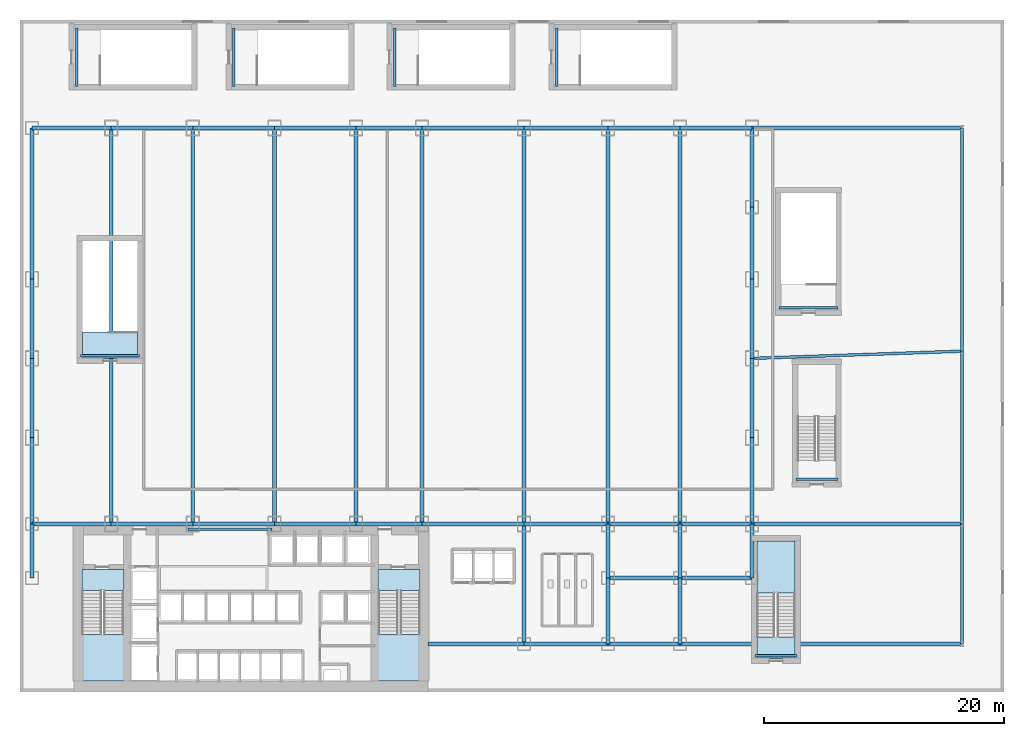
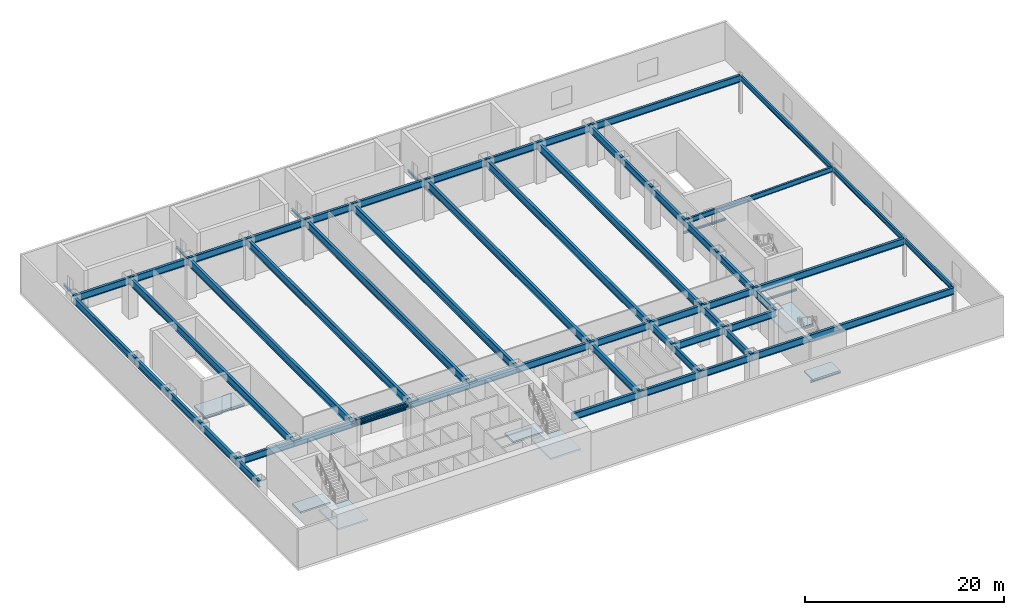
# One storey, part 4 of 14: 63 beams, 7 slabs, 3 elements without a shape of their own.
"""IFC4 building model written with IfcOpenShell, lengths in metres."""

from ifc_helpers import new_model, si_unit, derived_unit, direction, frame, origin, origin_2d, place, context, subcontext, project, spatial, polyline, i_section, outline, extrude, source, transform, mapped, material, layer, layer_set, material_profile, profile_set, type_object, element, aggregate, save


model = new_model("IFC4")

# Units and contexts
model_context = context("Model", 3, precision=1e-05, world=origin(), true_north=direction((0.0, 1.0)))
body_context = subcontext(model_context, "Body", "Model", "MODEL_VIEW")
ifc_project = project(units=[si_unit("LENGTHUNIT", "METRE"), si_unit("AREAUNIT", "SQUARE_METRE"), si_unit("VOLUMEUNIT", "CUBIC_METRE"), si_unit("PLANEANGLEUNIT", "RADIAN"), si_unit("MASSUNIT", "GRAM", prefix="KILO"), derived_unit("THERMALTRANSMITTANCEUNIT", [(si_unit("POWERUNIT", "WATT"), 1), (si_unit("LENGTHUNIT", "METRE"), -2), (si_unit("THERMODYNAMICTEMPERATUREUNIT", "KELVIN"), -1)])], contexts=[model_context])

# Site, building, storey
site_placement = place(None, origin())
site = spatial("IfcSite", under=ifc_project, at=site_placement, CompositionType="ELEMENT")
building_placement = place(site_placement, origin())
building = spatial("IfcBuilding", under=site, at=building_placement, Name="Skarnbrae Concourse Arena and Tower", CompositionType="ELEMENT")
storey_placement = place(building_placement, frame((0.0, 0.0, 21.0)))
storey = spatial("IfcBuildingStorey", under=building, at=storey_placement, Name="L04", CompositionType="ELEMENT", Elevation=21.0)

# Beams
ifc_material_1 = material(Name="Steel CSA G40.21 350W", Category="steel")
ifc_material_profile_1 = material_profile(ifc_material_1, i_section(OverallWidth=0.202880859375, OverallDepth=0.251953125, WebThickness=0.008056640625, FlangeThickness=0.013427734375, at=origin_2d()), Name="W250X58")
ifc_profile_set_1 = profile_set([ifc_material_profile_1], Name="Steel CSA G40.21 350W")
beam_type_1 = type_object("IfcBeamType", Name="BM-LINTEL-W250X58", PredefinedType="LINTEL", material=ifc_profile_set_1)
shared_shape_1 = source(origin(), body_context, "Body", "SweptSolid", [
    extrude(i_section(OverallWidth=0.202880859375, OverallDepth=0.251953125, WebThickness=0.008056640625, FlangeThickness=0.013427734375, at=origin_2d()), origin(), (0.0, 0.0, 1.0), 7.0),
])
beam_1_placement = place(storey_placement, frame((14.0, 13.550048828125, 4.573974609375), z_axis=(1.0, 0.0, 0.0), x_axis=(0.0, 1.0, 0.0)))
element("IfcBeam", 1, at=beam_1_placement, inside=storey, type_object=beam_type_1, Name="L04 Core portal coupling lintel", PredefinedType="LINTEL", context=body_context, shape_type="MappedRepresentation", body=[
    mapped(shared_shape_1, transform((0.0, 0.0, 0.0))),
])
ifc_material_profile_2 = material_profile(ifc_material_1, i_section(OverallWidth=0.2939453125, OverallDepth=0.85107421875, WebThickness=0.01611328125, FlangeThickness=0.02685546875, at=origin_2d()), Name="W840X226")
ifc_profile_set_2 = profile_set([ifc_material_profile_2], Name="Steel CSA G40.21 350W")
beam_type_2 = type_object("IfcBeamType", Name="BM-GIRD-W840X226", PredefinedType="BEAM", material=ifc_profile_set_2)
shared_shape_2 = source(origin(), body_context, "Body", "SweptSolid", [
    extrude(i_section(OverallWidth=0.2939453125, OverallDepth=0.85107421875, WebThickness=0.01611328125, FlangeThickness=0.02685546875, at=origin_2d()), origin(), (0.0, 0.0, 1.0), 6.60009765625),
])
for number, where, z_axis, x_axis, name in (
    (2, (1.0, 47.0, 4.2744140625), (1.0, 0.0, 0.0), (0.0, 1.0, 0.0), "L04 Podium north girder 1"),
    (3, (1.0, 14.0, 4.2744140625), (1.0, 0.0, 0.0), (0.0, 1.0, 0.0), "L04 Podium south spine girder 1"),
    (4, (1.0, 21.199951171875, 4.2744140625), (0.0, 1.0, 0.0), (-1.0, 0.0, 0.0), "L04 Podium west girder 3"),
    (5, (61.0, 21.199951171875, 4.2744140625), (0.0, 1.0, 0.0), (-1.0, 0.0, 0.0), "L04 Podium east girder 3"),
    (6, (61.0, 40.39990234375, 4.2744140625), (0.0, 1.0, 0.0), (-1.0, 0.0, 0.0), "L04 Podium east girder 6"),
):
    element("IfcBeam", number, at=place(storey_placement, frame(where, z_axis=z_axis, x_axis=x_axis)), inside=storey, type_object=beam_type_2, Name=name, PredefinedType="BEAM", context=body_context, shape_type="MappedRepresentation", body=[
        mapped(shared_shape_2, transform((0.0, 0.0, 0.0))),
    ])
shared_shape_3 = source(origin(), body_context, "Body", "SweptSolid", [
    extrude(i_section(OverallWidth=0.2939453125, OverallDepth=0.85107421875, WebThickness=0.01611328125, FlangeThickness=0.02685546875, at=origin_2d()), origin(), (0.0, 0.0, 1.0), 6.7998046875),
])
for number, where, z_axis, x_axis, name in (
    (7, (7.60009765625, 47.0, 4.2744140625), (1.0, 0.0, 0.0), (0.0, 1.0, 0.0), "L04 Podium north girder 2"),
    (8, (7.60009765625, 14.0, 4.2744140625), (1.0, 0.0, 0.0), (0.0, 1.0, 0.0), "L04 Podium south spine girder 2"),
):
    element("IfcBeam", number, at=place(storey_placement, frame(where, z_axis=z_axis, x_axis=x_axis)), inside=storey, type_object=beam_type_2, Name=name, PredefinedType="BEAM", context=body_context, shape_type="MappedRepresentation", body=[
        mapped(shared_shape_3, transform((0.0, 0.0, 0.0))),
    ])
shared_shape_4 = source(origin(), body_context, "Body", "SweptSolid", [
    extrude(i_section(OverallWidth=0.2939453125, OverallDepth=0.85107421875, WebThickness=0.01611328125, FlangeThickness=0.02685546875, at=origin_2d()), origin(), (0.0, 0.0, 1.0), 6.800048828125),
])
for number, where, z_axis, x_axis, name in (
    (9, (14.39990234375, 47.0, 4.2744140625), (1.0, 0.0, 0.0), (0.0, 1.0, 0.0), "L04 Podium north girder 3"),
    (10, (21.199951171875, 47.0, 4.2744140625), (1.0, 0.0, 0.0), (0.0, 1.0, 0.0), "L04 Podium north girder 4"),
    (11, (14.39990234375, 14.0, 4.2744140625), (1.0, 0.0, 0.0), (0.0, 1.0, 0.0), "L04 Podium south spine girder 3"),
    (12, (21.199951171875, 14.0, 4.2744140625), (1.0, 0.0, 0.0), (0.0, 1.0, 0.0), "L04 Podium south spine girder 4"),
):
    element("IfcBeam", number, at=place(storey_placement, frame(where, z_axis=z_axis, x_axis=x_axis)), inside=storey, type_object=beam_type_2, Name=name, PredefinedType="BEAM", context=body_context, shape_type="MappedRepresentation", body=[
        mapped(shared_shape_4, transform((0.0, 0.0, 0.0))),
    ])
shared_shape_5 = source(origin(), body_context, "Body", "SweptSolid", [
    extrude(i_section(OverallWidth=0.2939453125, OverallDepth=0.85107421875, WebThickness=0.01611328125, FlangeThickness=0.02685546875, at=origin_2d()), origin(), (0.0, 0.0, 1.0), 5.5),
])
for number, where, z_axis, x_axis, name in (
    (13, (28.0, 47.0, 4.2744140625), (1.0, 0.0, 0.0), (0.0, 1.0, 0.0), "L04 Podium north girder 5"),
    (14, (28.0, 14.0, 4.2744140625), (1.0, 0.0, 0.0), (0.0, 1.0, 0.0), "L04 Podium south spine girder 5"),
    (15, (49.0, 4.0, 4.2744140625), (0.0, 1.0, 0.0), (-1.0, 0.0, 0.0), "L04 SE south tie 49"),
    (16, (55.0, 4.0, 4.2744140625), (0.0, 1.0, 0.0), (-1.0, 0.0, 0.0), "L04 SE south tie 55"),
):
    element("IfcBeam", number, at=place(storey_placement, frame(where, z_axis=z_axis, x_axis=x_axis)), inside=storey, type_object=beam_type_2, Name=name, PredefinedType="BEAM", context=body_context, shape_type="MappedRepresentation", body=[
        mapped(shared_shape_5, transform((0.0, 0.0, 0.0))),
    ])
shared_shape_6 = source(origin(), body_context, "Body", "SweptSolid", [
    extrude(i_section(OverallWidth=0.2939453125, OverallDepth=0.85107421875, WebThickness=0.01611328125, FlangeThickness=0.02685546875, at=origin_2d()), origin(), (0.0, 0.0, 1.0), 8.5),
])
for number, where, z_axis, x_axis, name in (
    (17, (33.5, 47.0, 4.2744140625), (1.0, 0.0, 0.0), (0.0, 1.0, 0.0), "L04 Podium north girder 6"),
    (18, (33.5, 14.0, 4.2744140625), (1.0, 0.0, 0.0), (0.0, 1.0, 0.0), "L04 Podium south spine girder 6"),
):
    element("IfcBeam", number, at=place(storey_placement, frame(where, z_axis=z_axis, x_axis=x_axis)), inside=storey, type_object=beam_type_2, Name=name, PredefinedType="BEAM", context=body_context, shape_type="MappedRepresentation", body=[
        mapped(shared_shape_6, transform((0.0, 0.0, 0.0))),
    ])
shared_shape_7 = source(origin(), body_context, "Body", "SweptSolid", [
    extrude(i_section(OverallWidth=0.2939453125, OverallDepth=0.85107421875, WebThickness=0.01611328125, FlangeThickness=0.02685546875, at=origin_2d()), origin(), (0.0, 0.0, 1.0), 7.0),
])
for number, where, z_axis, x_axis, name in (
    (19, (42.0, 47.0, 4.2744140625), (1.0, 0.0, 0.0), (0.0, 1.0, 0.0), "L04 Podium north girder 7"),
    (20, (42.0, 14.0, 4.2744140625), (1.0, 0.0, 0.0), (0.0, 1.0, 0.0), "L04 Podium south spine girder 7"),
    (21, (42.0, 4.0, 4.2744140625), (1.0, 0.0, 0.0), (0.0, 1.0, 0.0), "L04 South-east girder 2"),
):
    element("IfcBeam", number, at=place(storey_placement, frame(where, z_axis=z_axis, x_axis=x_axis)), inside=storey, type_object=beam_type_2, Name=name, PredefinedType="BEAM", context=body_context, shape_type="MappedRepresentation", body=[
        mapped(shared_shape_7, transform((0.0, 0.0, 0.0))),
    ])
shared_shape_8 = source(origin(), body_context, "Body", "SweptSolid", [
    extrude(i_section(OverallWidth=0.2939453125, OverallDepth=0.85107421875, WebThickness=0.01611328125, FlangeThickness=0.02685546875, at=origin_2d()), origin(), (0.0, 0.0, 1.0), 6.0),
])
for number, where, z_axis, x_axis, name in (
    (22, (49.0, 47.0, 4.2744140625), (1.0, 0.0, 0.0), (0.0, 1.0, 0.0), "L04 Podium north girder 8"),
    (23, (55.0, 47.0, 4.2744140625), (1.0, 0.0, 0.0), (0.0, 1.0, 0.0), "L04 Podium north girder 9"),
    (24, (49.0, 14.0, 4.2744140625), (1.0, 0.0, 0.0), (0.0, 1.0, 0.0), "L04 Podium south spine girder 8"),
    (25, (55.0, 14.0, 4.2744140625), (1.0, 0.0, 0.0), (0.0, 1.0, 0.0), "L04 Podium south spine girder 9"),
    (26, (61.0, 34.39990234375, 4.2744140625), (0.0, 1.0, 0.0), (-1.0, 0.0, 0.0), "L04 Podium east girder 5"),
    (27, (49.0, 9.5, 4.2744140625), (1.0, 0.0, 0.0), (0.0, 1.0, 0.0), "L04 SE elbow girder 1"),
    (28, (55.0, 9.5, 4.2744140625), (1.0, 0.0, 0.0), (0.0, 1.0, 0.0), "L04 SE elbow girder 2"),
    (29, (49.0, 4.0, 4.2744140625), (1.0, 0.0, 0.0), (0.0, 1.0, 0.0), "L04 South-east girder 3"),
):
    element("IfcBeam", number, at=place(storey_placement, frame(where, z_axis=z_axis, x_axis=x_axis)), inside=storey, type_object=beam_type_2, Name=name, PredefinedType="BEAM", context=body_context, shape_type="MappedRepresentation", body=[
        mapped(shared_shape_8, transform((0.0, 0.0, 0.0))),
    ])
shared_shape_9 = source(origin(), body_context, "Body", "SweptSolid", [
    extrude(i_section(OverallWidth=0.2939453125, OverallDepth=0.85107421875, WebThickness=0.01611328125, FlangeThickness=0.02685546875, at=origin_2d()), origin(), (0.0, 0.0, 1.0), 17.5),
])
for number, where, z_axis, x_axis, name in (
    (30, (61.0, 47.0, 4.2744140625), (1.0, 0.0, 0.0), (0.0, 1.0, 0.0), "L04 Podium north girder 10"),
    (31, (61.0, 14.0, 4.2744140625), (1.0, 0.0, 0.0), (0.0, 1.0, 0.0), "L04 Podium south spine girder 10"),
):
    element("IfcBeam", number, at=place(storey_placement, frame(where, z_axis=z_axis, x_axis=x_axis)), inside=storey, type_object=beam_type_2, Name=name, PredefinedType="BEAM", context=body_context, shape_type="MappedRepresentation", body=[
        mapped(shared_shape_9, transform((0.0, 0.0, 0.0))),
    ])
shared_shape_10 = source(origin(), body_context, "Body", "SweptSolid", [
    extrude(i_section(OverallWidth=0.2939453125, OverallDepth=0.85107421875, WebThickness=0.01611328125, FlangeThickness=0.02685546875, at=origin_2d()), origin(), (0.0, 0.0, 1.0), 4.5),
])
for number, where, z_axis, x_axis, name in (
    (32, (1.0, 9.5, 4.2744140625), (0.0, 1.0, 0.0), (-1.0, 0.0, 0.0), "L04 Podium west girder 1"),
    (33, (61.0, 9.5, 4.2744140625), (0.0, 1.0, 0.0), (-1.0, 0.0, 0.0), "L04 Podium east girder 1"),
    (34, (49.0, 9.5, 4.2744140625), (0.0, 1.0, 0.0), (-1.0, 0.0, 0.0), "L04 SE north tie 49"),
    (35, (55.0, 9.5, 4.2744140625), (0.0, 1.0, 0.0), (-1.0, 0.0, 0.0), "L04 SE north tie 55"),
):
    element("IfcBeam", number, at=place(storey_placement, frame(where, z_axis=z_axis, x_axis=x_axis)), inside=storey, type_object=beam_type_2, Name=name, PredefinedType="BEAM", context=body_context, shape_type="MappedRepresentation", body=[
        mapped(shared_shape_10, transform((0.0, 0.0, 0.0))),
    ])
shared_shape_11 = source(origin(), body_context, "Body", "SweptSolid", [
    extrude(i_section(OverallWidth=0.2939453125, OverallDepth=0.85107421875, WebThickness=0.01611328125, FlangeThickness=0.02685546875, at=origin_2d()), origin(), (0.0, 0.0, 1.0), 7.199951171875),
])
for number, where, z_axis, x_axis, name in (
    (36, (1.0, 14.0, 4.2744140625), (0.0, 1.0, 0.0), (-1.0, 0.0, 0.0), "L04 Podium west girder 2"),
    (37, (61.0, 14.0, 4.2744140625), (0.0, 1.0, 0.0), (-1.0, 0.0, 0.0), "L04 Podium east girder 2"),
):
    element("IfcBeam", number, at=place(storey_placement, frame(where, z_axis=z_axis, x_axis=x_axis)), inside=storey, type_object=beam_type_2, Name=name, PredefinedType="BEAM", context=body_context, shape_type="MappedRepresentation", body=[
        mapped(shared_shape_11, transform((0.0, 0.0, 0.0))),
    ])
shared_shape_12 = source(origin(), body_context, "Body", "SweptSolid", [
    extrude(i_section(OverallWidth=0.2939453125, OverallDepth=0.85107421875, WebThickness=0.01611328125, FlangeThickness=0.02685546875, at=origin_2d()), origin(), (0.0, 0.0, 1.0), 6.599853515625),
])
for number, where, z_axis, x_axis, name in (
    (38, (1.0, 27.800048828125, 4.2744140625), (0.0, 1.0, 0.0), (-1.0, 0.0, 0.0), "L04 Podium west girder 4"),
    (39, (61.0, 27.800048828125, 4.2744140625), (0.0, 1.0, 0.0), (-1.0, 0.0, 0.0), "L04 Podium east girder 4"),
):
    element("IfcBeam", number, at=place(storey_placement, frame(where, z_axis=z_axis, x_axis=x_axis)), inside=storey, type_object=beam_type_2, Name=name, PredefinedType="BEAM", context=body_context, shape_type="MappedRepresentation", body=[
        mapped(shared_shape_12, transform((0.0, 0.0, 0.0))),
    ])
shared_shape_13 = source(origin(), body_context, "Body", "SweptSolid", [
    extrude(i_section(OverallWidth=0.2939453125, OverallDepth=0.85107421875, WebThickness=0.01611328125, FlangeThickness=0.02685546875, at=origin_2d()), origin(), (0.0, 0.0, 1.0), 12.60009765625),
])
beam_2_placement = place(storey_placement, frame((1.0, 34.39990234375, 4.2744140625), z_axis=(0.0, 1.0, 0.0), x_axis=(-1.0, 0.0, 0.0)))
element("IfcBeam", 40, at=beam_2_placement, inside=storey, type_object=beam_type_2, Name="L04 Podium west girder 5", PredefinedType="BEAM", context=body_context, shape_type="MappedRepresentation", body=[
    mapped(shared_shape_13, transform((0.0, 0.0, 0.0))),
])
ifc_material_profile_3 = material_profile(ifc_material_1, i_section(OverallWidth=0.22802734375, OverallDepth=0.60791015625, WebThickness=0.01123046875, FlangeThickness=0.017333984375, at=origin_2d()), Name="W610X113")
ifc_profile_set_3 = profile_set([ifc_material_profile_3], Name="Steel CSA G40.21 350W")
beam_type_3 = type_object("IfcBeamType", Name="BM-GIRD-W610X113", PredefinedType="BEAM", material=ifc_profile_set_3)
shared_shape_14 = source(origin(), body_context, "Body", "SweptSolid", [
    extrude(i_section(OverallWidth=0.22802734375, OverallDepth=0.60791015625, WebThickness=0.01123046875, FlangeThickness=0.017333984375, at=origin_2d()), origin(), (0.0, 0.0, 1.0), 10.0),
])
beam_3_placement = place(storey_placement, frame((78.5, 4.0, 4.39599609375), z_axis=(0.0, 1.0, 0.0), x_axis=(-1.0, 0.0, 0.0)))
element("IfcBeam", 41, at=beam_3_placement, inside=storey, type_object=beam_type_3, Name="L04 Podium outer east girder 1", PredefinedType="BEAM", context=body_context, shape_type="MappedRepresentation", body=[
    mapped(shared_shape_14, transform((0.0, 0.0, 0.0))),
])
shared_shape_15 = source(origin(), body_context, "Body", "SweptSolid", [
    extrude(i_section(OverallWidth=0.22802734375, OverallDepth=0.60791015625, WebThickness=0.01123046875, FlangeThickness=0.017333984375, at=origin_2d()), origin(), (0.0, 0.0, 1.0), 14.39990234375),
])
beam_4_placement = place(storey_placement, frame((78.5, 14.0, 4.39599609375), z_axis=(0.0, 1.0, 0.0), x_axis=(-1.0, 0.0, 0.0)))
element("IfcBeam", 42, at=beam_4_placement, inside=storey, type_object=beam_type_3, Name="L04 Podium outer east girder 2", PredefinedType="BEAM", context=body_context, shape_type="MappedRepresentation", body=[
    mapped(shared_shape_15, transform((0.0, 0.0, 0.0))),
])
shared_shape_16 = source(origin(), body_context, "Body", "SweptSolid", [
    extrude(i_section(OverallWidth=0.22802734375, OverallDepth=0.60791015625, WebThickness=0.01123046875, FlangeThickness=0.017333984375, at=origin_2d()), origin(), (0.0, 0.0, 1.0), 18.60009765625),
])
beam_5_placement = place(storey_placement, frame((78.5, 28.39990234375, 4.39599609375), z_axis=(0.0, 1.0, 0.0), x_axis=(-1.0, 0.0, 0.0)))
element("IfcBeam", 43, at=beam_5_placement, inside=storey, type_object=beam_type_3, Name="L04 Podium outer east girder 3", PredefinedType="BEAM", context=body_context, shape_type="MappedRepresentation", body=[
    mapped(shared_shape_16, transform((0.0, 0.0, 0.0))),
])
shared_shape_17 = source(origin(), body_context, "Body", "SweptSolid", [
    extrude(i_section(OverallWidth=0.22802734375, OverallDepth=0.60791015625, WebThickness=0.01123046875, FlangeThickness=0.017333984375, at=origin_2d()), origin(), (0.0, 0.0, 1.0), 17.51025390625),
])
beam_6_placement = place(storey_placement, frame((61.0, 27.800048828125, 4.39599609375), z_axis=(0.999413049025, 0.03425722463, 0.0), x_axis=(-0.03425722463, 0.999413049025, 0.0)))
element("IfcBeam", 44, at=beam_6_placement, inside=storey, type_object=beam_type_3, Name="L04 East concourse tie girder", PredefinedType="BEAM", context=body_context, shape_type="MappedRepresentation", body=[
    mapped(shared_shape_17, transform((0.0, 0.0, 0.0))),
])
shared_shape_18 = source(origin(), body_context, "Body", "SweptSolid", [
    extrude(i_section(OverallWidth=0.2939453125, OverallDepth=0.85107421875, WebThickness=0.01611328125, FlangeThickness=0.02685546875, at=origin_2d()), origin(), (0.0, 0.0, 1.0), 8.0),
])
beam_7_placement = place(storey_placement, frame((34.0, 4.0, 4.2744140625), z_axis=(1.0, 0.0, 0.0), x_axis=(0.0, 1.0, 0.0)))
element("IfcBeam", 45, at=beam_7_placement, inside=storey, type_object=beam_type_2, Name="L04 South-east girder 1", PredefinedType="BEAM", context=body_context, shape_type="MappedRepresentation", body=[
    mapped(shared_shape_18, transform((0.0, 0.0, 0.0))),
])
shared_shape_19 = source(origin(), body_context, "Body", "SweptSolid", [
    extrude(i_section(OverallWidth=0.2939453125, OverallDepth=0.85107421875, WebThickness=0.01611328125, FlangeThickness=0.02685546875, at=origin_2d()), origin(), (0.0, 0.0, 1.0), 23.5),
])
beam_8_placement = place(storey_placement, frame((55.0, 4.0, 4.2744140625), z_axis=(1.0, 0.0, 0.0), x_axis=(0.0, 1.0, 0.0)))
element("IfcBeam", 46, at=beam_8_placement, inside=storey, type_object=beam_type_2, Name="L04 South-east girder 4", PredefinedType="BEAM", context=body_context, shape_type="MappedRepresentation", body=[
    mapped(shared_shape_19, transform((0.0, 0.0, 0.0))),
])
shared_shape_20 = source(origin(), body_context, "Body", "SweptSolid", [
    extrude(i_section(OverallWidth=0.2939453125, OverallDepth=0.85107421875, WebThickness=0.01611328125, FlangeThickness=0.02685546875, at=origin_2d()), origin(), (0.0, 0.0, 1.0), 10.0),
])
beam_9_placement = place(storey_placement, frame((42.0, 4.0, 4.2744140625), z_axis=(0.0, 1.0, 0.0), x_axis=(-1.0, 0.0, 0.0)))
element("IfcBeam", 47, at=beam_9_placement, inside=storey, type_object=beam_type_2, Name="L04 SE cross tie 42", PredefinedType="BEAM", context=body_context, shape_type="MappedRepresentation", body=[
    mapped(shared_shape_20, transform((0.0, 0.0, 0.0))),
])
ifc_material_profile_4 = material_profile(ifc_material_1, i_section(OverallWidth=0.30908203125, OverallDepth=0.931884765625, WebThickness=0.01953125, FlangeThickness=0.034423828125, at=origin_2d()), Name="W920X313")
ifc_profile_set_4 = profile_set([ifc_material_profile_4], Name="Steel CSA G40.21 350W")
beam_type_4 = type_object("IfcBeamType", Name="BM-GIRD-W920X313", PredefinedType="BEAM", material=ifc_profile_set_4)
shared_shape_21 = source(origin(), body_context, "Body", "SweptSolid", [
    extrude(i_section(OverallWidth=0.30908203125, OverallDepth=0.931884765625, WebThickness=0.01953125, FlangeThickness=0.034423828125, at=origin_2d()), origin(), (0.0, 0.0, 1.0), 33.0),
])
for number, where, z_axis, x_axis, name in (
    (48, (7.60009765625, 14.0, 4.23388671875), (0.0, 1.0, 0.0), (-1.0, 0.0, 0.0), "L04 Arena span girder 1"),
    (49, (14.39990234375, 14.0, 4.23388671875), (0.0, 1.0, 0.0), (-1.0, 0.0, 0.0), "L04 Arena span girder 2"),
    (50, (21.199951171875, 14.0, 4.23388671875), (0.0, 1.0, 0.0), (-1.0, 0.0, 0.0), "L04 Arena span girder 3"),
    (51, (28.0, 14.0, 4.23388671875), (0.0, 1.0, 0.0), (-1.0, 0.0, 0.0), "L04 Arena span girder 4"),
    (52, (33.5, 14.0, 4.23388671875), (0.0, 1.0, 0.0), (-1.0, 0.0, 0.0), "L04 Arena span girder 5"),
    (53, (42.0, 14.0, 4.23388671875), (0.0, 1.0, 0.0), (-1.0, 0.0, 0.0), "L04 Arena span girder 6"),
    (54, (49.0, 14.0, 4.23388671875), (0.0, 1.0, 0.0), (-1.0, 0.0, 0.0), "L04 Arena span girder 7"),
    (55, (55.0, 14.0, 4.23388671875), (0.0, 1.0, 0.0), (-1.0, 0.0, 0.0), "L04 Arena span girder 8"),
):
    element("IfcBeam", number, at=place(storey_placement, frame(where, z_axis=z_axis, x_axis=x_axis)), inside=storey, type_object=beam_type_4, Name=name, PredefinedType="BEAM", context=body_context, shape_type="MappedRepresentation", body=[
        mapped(shared_shape_21, transform((0.0, 0.0, 0.0))),
    ])
shared_shape_22 = source(origin(), body_context, "Body", "SweptSolid", [
    extrude(i_section(OverallWidth=0.202880859375, OverallDepth=0.251953125, WebThickness=0.008056640625, FlangeThickness=0.013427734375, at=origin_2d()), origin(), (0.0, 0.0, 1.0), 3.5),
])
for number, where, z_axis, x_axis, name in (
    (56, (64.75, 3.02001953125, -0.325927734375), (-1.0, 0.0, 0.0), (0.0, -1.0, 0.0), "L04 Stair ST-A1 near landing soffit beam"),
    (57, (68.14990234375, 17.719970703125, -0.325927734375), (-1.0, 0.0, 0.0), (0.0, -1.0, 0.0), "L04 Stair ST-A2 near landing soffit beam"),
):
    element("IfcBeam", number, at=place(storey_placement, frame(where, z_axis=z_axis, x_axis=x_axis)), inside=storey, type_object=beam_type_1, Name=name, PredefinedType="LINTEL", context=body_context, shape_type="MappedRepresentation", body=[
        mapped(shared_shape_22, transform((0.0, 0.0, 0.0))),
    ])
shared_shape_23 = source(origin(), body_context, "Body", "SweptSolid", [
    extrude(i_section(OverallWidth=0.202880859375, OverallDepth=0.251953125, WebThickness=0.008056640625, FlangeThickness=0.013427734375, at=origin_2d()), origin(), (0.0, 0.0, 1.0), 4.89990234375),
])
for number, where, z_axis, x_axis, name in (
    (58, (9.949951171875, 28.02001953125, -0.325927734375), (-1.0, 0.0, 0.0), (0.0, -1.0, 0.0), "L04 Stair ST-A3 near landing soffit beam"),
    (59, (68.14990234375, 32.02001953125, -0.325927734375), (-1.0, 0.0, 0.0), (0.0, -1.0, 0.0), "L04 Stair ST-A4 near landing soffit beam"),
):
    element("IfcBeam", number, at=place(storey_placement, frame(where, z_axis=z_axis, x_axis=x_axis)), inside=storey, type_object=beam_type_1, Name=name, PredefinedType="LINTEL", context=body_context, shape_type="MappedRepresentation", body=[
        mapped(shared_shape_23, transform((0.0, 0.0, 0.0))),
    ])
shared_shape_24 = source(origin(), body_context, "Body", "SweptSolid", [
    extrude(i_section(OverallWidth=0.202880859375, OverallDepth=0.251953125, WebThickness=0.008056640625, FlangeThickness=0.013427734375, at=origin_2d()), origin(), (0.0, 0.0, 1.0), 4.900146484375),
])
for number, where, z_axis, x_axis, name in (
    (60, (4.719970703125, 50.449951171875, -0.325927734375), (0.0, 1.0, 0.0), (-1.0, 0.0, 0.0), "L04 Stair ST-A5 near landing soffit beam"),
    (61, (17.820068359375, 50.449951171875, -0.325927734375), (0.0, 1.0, 0.0), (-1.0, 0.0, 0.0), "L04 Stair ST-A6 near landing soffit beam"),
    (62, (31.219970703125, 50.449951171875, -0.325927734375), (0.0, 1.0, 0.0), (-1.0, 0.0, 0.0), "L04 Stair ST-A7 near landing soffit beam"),
    (63, (44.719970703125, 50.449951171875, -0.325927734375), (0.0, 1.0, 0.0), (-1.0, 0.0, 0.0), "L04 Stair ST-A8 near landing soffit beam"),
):
    element("IfcBeam", number, at=place(storey_placement, frame(where, z_axis=z_axis, x_axis=x_axis)), inside=storey, type_object=beam_type_1, Name=name, PredefinedType="LINTEL", context=body_context, shape_type="MappedRepresentation", body=[
        mapped(shared_shape_24, transform((0.0, 0.0, 0.0))),
    ])

# Stair, slab
ifc_material_2 = material(Name="Concrete 40 MPa (C40/50)", Category="concrete")
stair_type_1 = type_object("IfcStairType", Name="STAIR-DOGLEG-1650", PredefinedType="HALF_TURN_STAIR", material=ifc_material_2)
stair_1_placement = place(storey_placement, origin())
stair_1 = element("IfcStair", 64, at=stair_1_placement, inside=storey, type_object=stair_type_1, Name="L04 Protected Exit Stair ST-1", PredefinedType="HALF_TURN_STAIR")
ifc_layer = layer(ifc_material_2, 0.199951171875)
ifc_layer_set = layer_set([ifc_layer], Name="Concrete 40 MPa (C40/50)")
slab_type = type_object("IfcSlabType", Name="SLAB-LANDING-200", PredefinedType="LANDING", material=ifc_layer_set)
slab_1_placement = place(storey_placement, frame((0.0, 0.0, 2.300048828125)))
slab_1 = element("IfcSlab", 65, at=slab_1_placement, type_object=slab_type, Name="ST-1 landing 1", PredefinedType="LANDING", context=body_context, shape_type="SweptSolid", body=[
    extrude(outline(polyline([(5.14990234375, 4.81005859375), (5.14990234375, 0.89990234375), (8.64990234375, 0.89990234375), (8.64990234375, 4.81005859375), (5.14990234375, 4.81005859375)])), origin(), (0.0, 0.0, 1.0), 0.199951171875),
])
aggregate(stair_1, [slab_1])

stair_2_placement = place(storey_placement, origin())
stair_2 = element("IfcStair", 66, at=stair_2_placement, inside=storey, type_object=stair_type_1, Name="L04 Protected Exit Stair ST-2", PredefinedType="HALF_TURN_STAIR")
slab_2_placement = place(storey_placement, frame((0.0, 0.0, 2.300048828125)))
slab_2 = element("IfcSlab", 67, at=slab_2_placement, type_object=slab_type, Name="ST-2 landing 1", PredefinedType="LANDING", context=body_context, shape_type="SweptSolid", body=[
    extrude(outline(polyline([(29.85009765625, 4.81005859375), (29.85009765625, 0.89990234375), (33.35009765625, 0.89990234375), (33.35009765625, 4.81005859375), (29.85009765625, 4.81005859375)])), origin(), (0.0, 0.0, 1.0), 0.199951171875),
])
aggregate(stair_2, [slab_2])

# Slabs
slab_3_placement = place(storey_placement, frame((0.0, 0.0, -0.199951171875)))
element("IfcSlab", 68, at=slab_3_placement, inside=storey, type_object=slab_type, Name="L04 Core stair ST1 floor landing", PredefinedType="LANDING", context=body_context, shape_type="SweptSolid", body=[
    extrude(outline(polyline([(5.14990234375, 10.199951171875), (5.14990234375, 8.449951171875), (8.64990234375, 8.449951171875), (8.64990234375, 10.199951171875), (5.14990234375, 10.199951171875)])), origin(), (0.0, 0.0, 1.0), 0.199951171875),
])
slab_4_placement = place(storey_placement, frame((0.0, 0.0, -0.199951171875)))
element("IfcSlab", 69, at=slab_4_placement, inside=storey, type_object=slab_type, Name="L04 Core stair ST2 floor landing", PredefinedType="LANDING", context=body_context, shape_type="SweptSolid", body=[
    extrude(outline(polyline([(29.85009765625, 10.199951171875), (29.85009765625, 8.449951171875), (33.35009765625, 8.449951171875), (33.35009765625, 10.199951171875), (29.85009765625, 10.199951171875)])), origin(), (0.0, 0.0, 1.0), 0.199951171875),
])
slab_5_placement = place(storey_placement, frame((0.0, 0.0, -0.199951171875)))
element("IfcSlab", 70, at=slab_5_placement, inside=storey, type_object=slab_type, Name="L04 Stair ST-A1 near floor landing", PredefinedType="LANDING", context=body_context, shape_type="SweptSolid", body=[
    extrude(outline(polyline([(64.60009765625, 2.800048828125), (64.60009765625, 4.60009765625), (61.39990234375, 4.60009765625), (61.39990234375, 2.800048828125), (64.60009765625, 2.800048828125)])), origin(), (0.0, 0.0, 1.0), 0.199951171875),
])

# Stair, slab
stair_type_2 = type_object("IfcStairType", Name="STAIR-DOGLEG-1500", PredefinedType="HALF_TURN_STAIR", material=ifc_material_2)
stair_3_placement = place(storey_placement, origin())
stair_3 = element("IfcStair", 71, at=stair_3_placement, inside=storey, type_object=stair_type_2, Name="L04 Arena Exit Stair ST-A1", PredefinedType="HALF_TURN_STAIR")
slab_6_placement = place(storey_placement, frame((0.0, 0.0, 2.300048828125)))
slab_6 = element("IfcSlab", 72, at=slab_6_placement, type_object=slab_type, Name="ST-A1 landing 1", PredefinedType="LANDING", context=body_context, shape_type="SweptSolid", body=[
    extrude(outline(polyline([(64.60009765625, 8.239990234375), (64.60009765625, 12.60009765625), (61.39990234375, 12.60009765625), (61.39990234375, 8.239990234375), (64.60009765625, 8.239990234375)])), origin(), (0.0, 0.0, 1.0), 0.199951171875),
])
aggregate(stair_3, [slab_6])

# Slab
slab_7_placement = place(storey_placement, frame((0.0, 0.0, -0.199951171875)))
element("IfcSlab", 73, at=slab_7_placement, inside=storey, type_object=slab_type, Name="L04 Stair ST-A3 near floor landing", PredefinedType="LANDING", context=body_context, shape_type="SweptSolid", body=[
    extrude(outline(polyline([(9.800048828125, 27.800048828125), (9.800048828125, 30.0), (5.199951171875, 30.0), (5.199951171875, 27.800048828125), (9.800048828125, 27.800048828125)])), origin(), (0.0, 0.0, 1.0), 0.199951171875),
])

save(model, "model.ifc")
